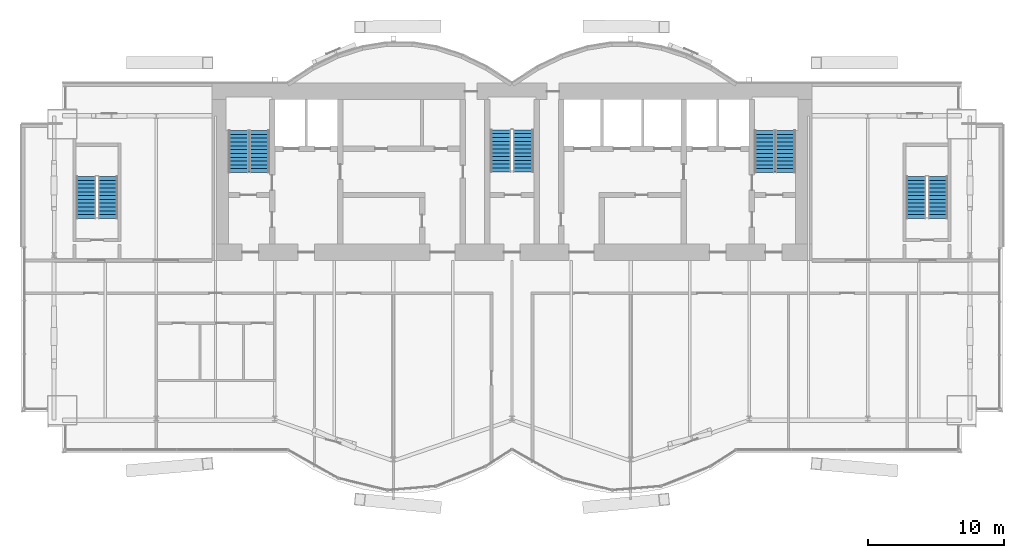
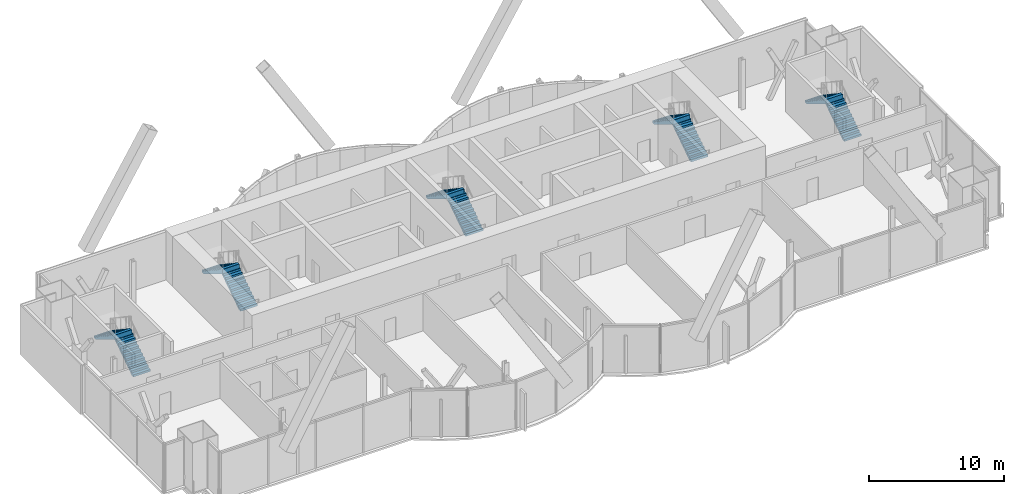
# One storey, part 16 of 19: 10 stair flights, 5 elements without a shape of their own.
"""IFC4 building model written with IfcOpenShell, lengths in metres."""

from ifc_helpers import new_model, si_unit, direction, frame, origin, place, context, subcontext, project, spatial, polyline, outline, extrude, material, type_object, element, aggregate, save


model = new_model("IFC4")

# Units and contexts
model_context = context("Model", 3, precision=1e-05, world=origin(), true_north=direction((0.0, 1.0)))
body_context = subcontext(model_context, "Body", "Model", "MODEL_VIEW")
ifc_project = project(units=[si_unit("LENGTHUNIT", "METRE"), si_unit("AREAUNIT", "SQUARE_METRE"), si_unit("VOLUMEUNIT", "CUBIC_METRE"), si_unit("PLANEANGLEUNIT", "RADIAN"), si_unit("MASSUNIT", "GRAM", prefix="KILO")], contexts=[model_context])

# Site, building, storey
site_placement = place(None, origin())
site = spatial("IfcSite", under=ifc_project, at=site_placement, CompositionType="ELEMENT")
building_placement = place(site_placement, origin())
building = spatial("IfcBuilding", under=site, at=building_placement, Name="Bicima Exchange Tower", CompositionType="ELEMENT")
storey_placement = place(building_placement, frame((0.0, 0.0, 297.5)))
storey = spatial("IfcBuildingStorey", under=building, at=storey_placement, Name="L67", CompositionType="ELEMENT", Elevation=297.5)

# Stair, stair flights
ifc_material = material(Name="Concrete C50/60", Category="concrete")
stair_type_1 = type_object("IfcStairType", Name="Exit stair", PredefinedType="HALF_TURN_STAIR", material=ifc_material)
stair_1_placement = place(storey_placement, origin())
stair_1 = element("IfcStair", 1, at=stair_1_placement, inside=storey, type_object=stair_type_1, Name="L67 West exit stair", PredefinedType="HALF_TURN_STAIR")
stair_flight_type_1 = type_object("IfcStairFlightType", Name="Stair flight RC", PredefinedType="STRAIGHT", material=ifc_material)
stair_flight_1_placement = place(storey_placement, frame((-18.52490234375, -6.550048828125, 0.0), z_axis=(0.0, 0.0, 1.0), x_axis=(0.0, 1.0, 0.0)))
stair_flight_1 = element("IfcStairFlight", 2, at=stair_flight_1_placement, type_object=stair_flight_type_1, Name="ST-W flight 1", NumberOfRisers=12, NumberOfTreads=11, PredefinedType="STRAIGHT", RiserHeight=0.1875, TreadLength=0.28, context=body_context, shape_type="SweptSolid", body=[
    extrude(outline(polyline([(0.0, 0.0), (0.0, 0.1875), (0.280029296875, 0.1875), (0.280029296875, 0.375), (0.56005859375, 0.375), (0.56005859375, 0.5625), (0.840087890625, 0.5625), (0.840087890625, 0.75), (1.1201171875, 0.75), (1.1201171875, 0.9375), (1.39990234375, 0.9375), (1.39990234375, 1.125), (1.679931640625, 1.125), (1.679931640625, 1.3125), (1.9599609375, 1.3125), (1.9599609375, 1.5), (2.239990234375, 1.5), (2.239990234375, 1.6875), (2.52001953125, 1.6875), (2.52001953125, 1.875), (2.800048828125, 1.875), (2.800048828125, 2.0625), (3.080078125, 2.0625), (3.080078125, 2.25), (3.080078125, 1.882080078125), (0.26953125, 0.0), (0.0, 0.0)])), frame((0.0, 0.72509765625, 0.0), z_axis=(0.0, -1.0, 0.0), x_axis=(1.0, 0.0, 0.0)), (0.0, 0.0, 1.0), 1.449951171875),
])
stair_flight_2_placement = place(storey_placement, frame((-20.074951171875, -3.469970703125, 2.25), z_axis=(0.0, 0.0, 1.0), x_axis=(0.0, -1.0, 0.0)))
stair_flight_2 = element("IfcStairFlight", 3, at=stair_flight_2_placement, type_object=stair_flight_type_1, Name="ST-W flight 2", NumberOfRisers=12, NumberOfTreads=11, PredefinedType="STRAIGHT", RiserHeight=0.1875, TreadLength=0.28, context=body_context, shape_type="SweptSolid", body=[
    extrude(outline(polyline([(0.0, 0.0), (0.0, 0.1875), (0.280029296875, 0.1875), (0.280029296875, 0.375), (0.56005859375, 0.375), (0.56005859375, 0.5625), (0.840087890625, 0.5625), (0.840087890625, 0.75), (1.1201171875, 0.75), (1.1201171875, 0.9375), (1.39990234375, 0.9375), (1.39990234375, 1.125), (1.679931640625, 1.125), (1.679931640625, 1.3125), (1.9599609375, 1.3125), (1.9599609375, 1.5), (2.239990234375, 1.5), (2.239990234375, 1.6875), (2.52001953125, 1.6875), (2.52001953125, 1.875), (2.800048828125, 1.875), (2.800048828125, 2.0625), (3.080078125, 2.0625), (3.080078125, 2.10400390625), (3.094970703125, 2.10400390625), (3.094970703125, 1.70458984375), (0.26953125, 0.0), (0.0, 0.0)])), frame((0.0, 0.72509765625, 0.0), z_axis=(0.0, -1.0, 0.0), x_axis=(1.0, 0.0, 0.0)), (0.0, 0.0, 1.0), 1.449951171875),
])
aggregate(stair_1, [stair_flight_1, stair_flight_2])

stair_2_placement = place(storey_placement, origin())
stair_2 = element("IfcStair", 4, at=stair_2_placement, inside=storey, type_object=stair_type_1, Name="L67 East exit stair", PredefinedType="HALF_TURN_STAIR")
stair_flight_3_placement = place(storey_placement, frame((20.074951171875, -6.550048828125, 0.0), z_axis=(0.0, 0.0, 1.0), x_axis=(0.0, 1.0, 0.0)))
stair_flight_3 = element("IfcStairFlight", 5, at=stair_flight_3_placement, type_object=stair_flight_type_1, Name="ST-E flight 1", NumberOfRisers=12, NumberOfTreads=11, PredefinedType="STRAIGHT", RiserHeight=0.1875, TreadLength=0.28, context=body_context, shape_type="SweptSolid", body=[
    extrude(outline(polyline([(0.0, 0.0), (0.0, 0.1875), (0.280029296875, 0.1875), (0.280029296875, 0.375), (0.56005859375, 0.375), (0.56005859375, 0.5625), (0.840087890625, 0.5625), (0.840087890625, 0.75), (1.1201171875, 0.75), (1.1201171875, 0.9375), (1.39990234375, 0.9375), (1.39990234375, 1.125), (1.679931640625, 1.125), (1.679931640625, 1.3125), (1.9599609375, 1.3125), (1.9599609375, 1.5), (2.239990234375, 1.5), (2.239990234375, 1.6875), (2.52001953125, 1.6875), (2.52001953125, 1.875), (2.800048828125, 1.875), (2.800048828125, 2.0625), (3.080078125, 2.0625), (3.080078125, 2.25), (3.080078125, 1.882080078125), (0.26953125, 0.0), (0.0, 0.0)])), frame((0.0, 0.72509765625, 0.0), z_axis=(0.0, -1.0, 0.0), x_axis=(1.0, 0.0, 0.0)), (0.0, 0.0, 1.0), 1.449951171875),
])
stair_flight_4_placement = place(storey_placement, frame((18.52490234375, -3.469970703125, 2.25), z_axis=(0.0, 0.0, 1.0), x_axis=(0.0, -1.0, 0.0)))
stair_flight_4 = element("IfcStairFlight", 6, at=stair_flight_4_placement, type_object=stair_flight_type_1, Name="ST-E flight 2", NumberOfRisers=12, NumberOfTreads=11, PredefinedType="STRAIGHT", RiserHeight=0.1875, TreadLength=0.28, context=body_context, shape_type="SweptSolid", body=[
    extrude(outline(polyline([(0.0, 0.0), (0.0, 0.1875), (0.280029296875, 0.1875), (0.280029296875, 0.375), (0.56005859375, 0.375), (0.56005859375, 0.5625), (0.840087890625, 0.5625), (0.840087890625, 0.75), (1.1201171875, 0.75), (1.1201171875, 0.9375), (1.39990234375, 0.9375), (1.39990234375, 1.125), (1.679931640625, 1.125), (1.679931640625, 1.3125), (1.9599609375, 1.3125), (1.9599609375, 1.5), (2.239990234375, 1.5), (2.239990234375, 1.6875), (2.52001953125, 1.6875), (2.52001953125, 1.875), (2.800048828125, 1.875), (2.800048828125, 2.0625), (3.080078125, 2.0625), (3.080078125, 2.10400390625), (3.094970703125, 2.10400390625), (3.094970703125, 1.70458984375), (0.26953125, 0.0), (0.0, 0.0)])), frame((0.0, 0.72509765625, 0.0), z_axis=(0.0, -1.0, 0.0), x_axis=(1.0, 0.0, 0.0)), (0.0, 0.0, 1.0), 1.449951171875),
])
aggregate(stair_2, [stair_flight_3, stair_flight_4])

stair_3_placement = place(storey_placement, origin())
stair_3 = element("IfcStair", 7, at=stair_3_placement, inside=storey, type_object=stair_type_1, Name="L67 West end exit stair", PredefinedType="HALF_TURN_STAIR")
stair_flight_5_placement = place(storey_placement, frame((-29.64990234375, -9.925048828125, 0.0), z_axis=(0.0, 0.0, 1.0), x_axis=(0.0, 1.0, 0.0)))
stair_flight_5 = element("IfcStairFlight", 8, at=stair_flight_5_placement, type_object=stair_flight_type_1, Name="ST-WW flight 1", NumberOfRisers=12, NumberOfTreads=11, PredefinedType="STRAIGHT", RiserHeight=0.1875, TreadLength=0.28, context=body_context, shape_type="SweptSolid", body=[
    extrude(outline(polyline([(0.0, 0.0), (0.0, 0.1875), (0.280029296875, 0.1875), (0.280029296875, 0.375), (0.56005859375, 0.375), (0.56005859375, 0.5625), (0.840087890625, 0.5625), (0.840087890625, 0.75), (1.1201171875, 0.75), (1.1201171875, 0.9375), (1.39990234375, 0.9375), (1.39990234375, 1.125), (1.679931640625, 1.125), (1.679931640625, 1.3125), (1.9599609375, 1.3125), (1.9599609375, 1.5), (2.239990234375, 1.5), (2.239990234375, 1.6875), (2.52001953125, 1.6875), (2.52001953125, 1.875), (2.800048828125, 1.875), (2.800048828125, 2.0625), (3.080078125, 2.0625), (3.080078125, 2.25), (3.080078125, 1.882080078125), (0.26953125, 0.0), (0.0, 0.0)])), frame((0.0, 0.72509765625, 0.0), z_axis=(0.0, -1.0, 0.0), x_axis=(1.0, 0.0, 0.0)), (0.0, 0.0, 1.0), 1.449951171875),
])
stair_flight_6_placement = place(storey_placement, frame((-31.25, -6.844970703125, 2.25), z_axis=(0.0, 0.0, 1.0), x_axis=(0.0, -1.0, 0.0)))
stair_flight_6 = element("IfcStairFlight", 9, at=stair_flight_6_placement, type_object=stair_flight_type_1, Name="ST-WW flight 2", NumberOfRisers=12, NumberOfTreads=11, PredefinedType="STRAIGHT", RiserHeight=0.1875, TreadLength=0.28, context=body_context, shape_type="SweptSolid", body=[
    extrude(outline(polyline([(0.0, 0.0), (0.0, 0.1875), (0.280029296875, 0.1875), (0.280029296875, 0.375), (0.56005859375, 0.375), (0.56005859375, 0.5625), (0.840087890625, 0.5625), (0.840087890625, 0.75), (1.1201171875, 0.75), (1.1201171875, 0.9375), (1.39990234375, 0.9375), (1.39990234375, 1.125), (1.679931640625, 1.125), (1.679931640625, 1.3125), (1.9599609375, 1.3125), (1.9599609375, 1.5), (2.239990234375, 1.5), (2.239990234375, 1.6875), (2.52001953125, 1.6875), (2.52001953125, 1.875), (2.800048828125, 1.875), (2.800048828125, 2.0625), (3.080078125, 2.0625), (3.080078125, 2.10400390625), (3.094970703125, 2.10400390625), (3.094970703125, 1.70458984375), (0.26953125, 0.0), (0.0, 0.0)])), frame((0.0, 0.72509765625, 0.0), z_axis=(0.0, -1.0, 0.0), x_axis=(1.0, 0.0, 0.0)), (0.0, 0.0, 1.0), 1.449951171875),
])
aggregate(stair_3, [stair_flight_5, stair_flight_6])

stair_4_placement = place(storey_placement, origin())
stair_4 = element("IfcStair", 10, at=stair_4_placement, inside=storey, type_object=stair_type_1, Name="L67 East end exit stair", PredefinedType="HALF_TURN_STAIR")
stair_flight_7_placement = place(storey_placement, frame((31.25, -9.925048828125, 0.0), z_axis=(0.0, 0.0, 1.0), x_axis=(0.0, 1.0, 0.0)))
stair_flight_7 = element("IfcStairFlight", 11, at=stair_flight_7_placement, type_object=stair_flight_type_1, Name="ST-EE flight 1", NumberOfRisers=12, NumberOfTreads=11, PredefinedType="STRAIGHT", RiserHeight=0.1875, TreadLength=0.28, context=body_context, shape_type="SweptSolid", body=[
    extrude(outline(polyline([(0.0, 0.0), (0.0, 0.1875), (0.280029296875, 0.1875), (0.280029296875, 0.375), (0.56005859375, 0.375), (0.56005859375, 0.5625), (0.840087890625, 0.5625), (0.840087890625, 0.75), (1.1201171875, 0.75), (1.1201171875, 0.9375), (1.39990234375, 0.9375), (1.39990234375, 1.125), (1.679931640625, 1.125), (1.679931640625, 1.3125), (1.9599609375, 1.3125), (1.9599609375, 1.5), (2.239990234375, 1.5), (2.239990234375, 1.6875), (2.52001953125, 1.6875), (2.52001953125, 1.875), (2.800048828125, 1.875), (2.800048828125, 2.0625), (3.080078125, 2.0625), (3.080078125, 2.25), (3.080078125, 1.882080078125), (0.26953125, 0.0), (0.0, 0.0)])), frame((0.0, 0.72509765625, 0.0), z_axis=(0.0, -1.0, 0.0), x_axis=(1.0, 0.0, 0.0)), (0.0, 0.0, 1.0), 1.449951171875),
])
stair_flight_8_placement = place(storey_placement, frame((29.64990234375, -6.844970703125, 2.25), z_axis=(0.0, 0.0, 1.0), x_axis=(0.0, -1.0, 0.0)))
stair_flight_8 = element("IfcStairFlight", 12, at=stair_flight_8_placement, type_object=stair_flight_type_1, Name="ST-EE flight 2", NumberOfRisers=12, NumberOfTreads=11, PredefinedType="STRAIGHT", RiserHeight=0.1875, TreadLength=0.28, context=body_context, shape_type="SweptSolid", body=[
    extrude(outline(polyline([(0.0, 0.0), (0.0, 0.1875), (0.280029296875, 0.1875), (0.280029296875, 0.375), (0.56005859375, 0.375), (0.56005859375, 0.5625), (0.840087890625, 0.5625), (0.840087890625, 0.75), (1.1201171875, 0.75), (1.1201171875, 0.9375), (1.39990234375, 0.9375), (1.39990234375, 1.125), (1.679931640625, 1.125), (1.679931640625, 1.3125), (1.9599609375, 1.3125), (1.9599609375, 1.5), (2.239990234375, 1.5), (2.239990234375, 1.6875), (2.52001953125, 1.6875), (2.52001953125, 1.875), (2.800048828125, 1.875), (2.800048828125, 2.0625), (3.080078125, 2.0625), (3.080078125, 2.10400390625), (3.094970703125, 2.10400390625), (3.094970703125, 1.70458984375), (0.26953125, 0.0), (0.0, 0.0)])), frame((0.0, 0.72509765625, 0.0), z_axis=(0.0, -1.0, 0.0), x_axis=(1.0, 0.0, 0.0)), (0.0, 0.0, 1.0), 1.449951171875),
])
aggregate(stair_4, [stair_flight_7, stair_flight_8])

stair_type_2 = type_object("IfcStairType", Name="Exit stair 1500", PredefinedType="HALF_TURN_STAIR", material=ifc_material)
stair_5_placement = place(storey_placement, origin())
stair_5 = element("IfcStair", 13, at=stair_5_placement, inside=storey, type_object=stair_type_2, Name="L67 Central exit stair", PredefinedType="HALF_TURN_STAIR")
stair_flight_type_2 = type_object("IfcStairFlightType", Name="Stair flight RC 1500", PredefinedType="STRAIGHT", material=ifc_material)
stair_flight_9_placement = place(storey_placement, frame((0.824951171875, -6.5, 0.0), z_axis=(0.0, 0.0, 1.0), x_axis=(0.0, 1.0, 0.0)))
stair_flight_9 = element("IfcStairFlight", 14, at=stair_flight_9_placement, type_object=stair_flight_type_2, Name="ST-C flight 1", NumberOfRisers=12, NumberOfTreads=11, PredefinedType="STRAIGHT", RiserHeight=0.1875, TreadLength=0.28, context=body_context, shape_type="SweptSolid", body=[
    extrude(outline(polyline([(0.0, 0.0), (0.0, 0.1875), (0.280029296875, 0.1875), (0.280029296875, 0.375), (0.56005859375, 0.375), (0.56005859375, 0.5625), (0.840087890625, 0.5625), (0.840087890625, 0.75), (1.1201171875, 0.75), (1.1201171875, 0.9375), (1.39990234375, 0.9375), (1.39990234375, 1.125), (1.679931640625, 1.125), (1.679931640625, 1.3125), (1.9599609375, 1.3125), (1.9599609375, 1.5), (2.239990234375, 1.5), (2.239990234375, 1.6875), (2.52001953125, 1.6875), (2.52001953125, 1.875), (2.800048828125, 1.875), (2.800048828125, 2.0625), (3.080078125, 2.0625), (3.080078125, 2.25), (3.080078125, 1.882080078125), (0.26953125, 0.0), (0.0, 0.0)])), frame((0.0, 0.75, 0.0), z_axis=(0.0, -1.0, 0.0), x_axis=(1.0, 0.0, 0.0)), (0.0, 0.0, 1.0), 1.5),
])
stair_flight_10_placement = place(storey_placement, frame((-0.824951171875, -3.419921875, 2.25), z_axis=(0.0, 0.0, 1.0), x_axis=(0.0, -1.0, 0.0)))
stair_flight_10 = element("IfcStairFlight", 15, at=stair_flight_10_placement, type_object=stair_flight_type_2, Name="ST-C flight 2", NumberOfRisers=12, NumberOfTreads=11, PredefinedType="STRAIGHT", RiserHeight=0.1875, TreadLength=0.28, context=body_context, shape_type="SweptSolid", body=[
    extrude(outline(polyline([(0.0, 0.0), (0.0, 0.1875), (0.280029296875, 0.1875), (0.280029296875, 0.375), (0.56005859375, 0.375), (0.56005859375, 0.5625), (0.840087890625, 0.5625), (0.840087890625, 0.75), (1.1201171875, 0.75), (1.1201171875, 0.9375), (1.39990234375, 0.9375), (1.39990234375, 1.125), (1.679931640625, 1.125), (1.679931640625, 1.3125), (1.9599609375, 1.3125), (1.9599609375, 1.5), (2.239990234375, 1.5), (2.239990234375, 1.6875), (2.52001953125, 1.6875), (2.52001953125, 1.875), (2.800048828125, 1.875), (2.800048828125, 2.0625), (3.080078125, 2.0625), (3.080078125, 2.10400390625), (3.094970703125, 2.10400390625), (3.094970703125, 1.70458984375), (0.26953125, 0.0), (0.0, 0.0)])), frame((0.0, 0.75, 0.0), z_axis=(0.0, -1.0, 0.0), x_axis=(1.0, 0.0, 0.0)), (0.0, 0.0, 1.0), 1.5),
])
aggregate(stair_5, [stair_flight_9, stair_flight_10])

save(model, "model.ifc")
